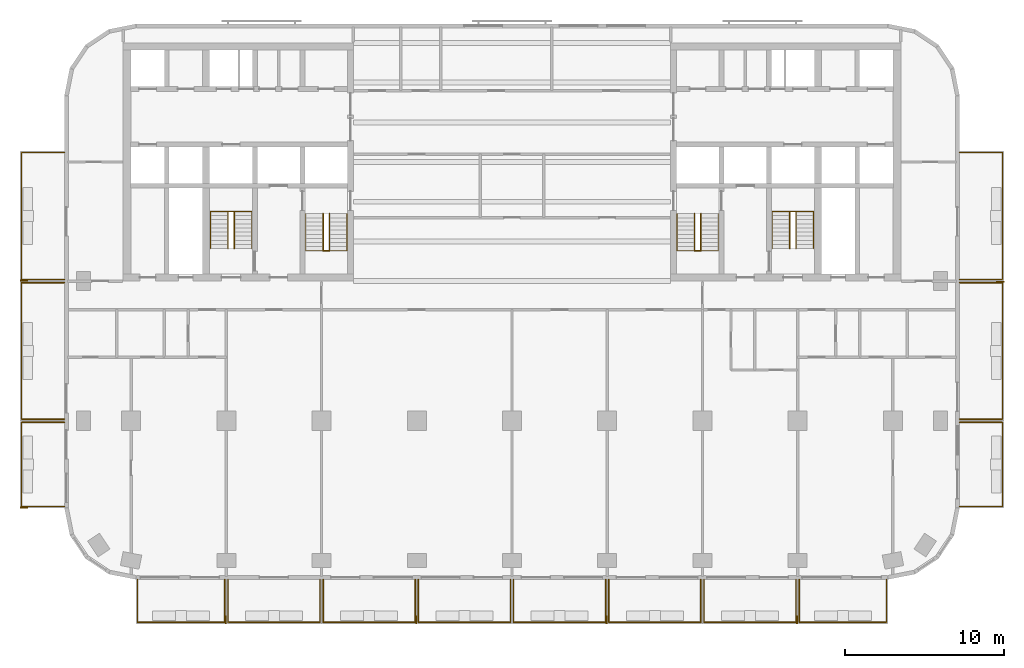
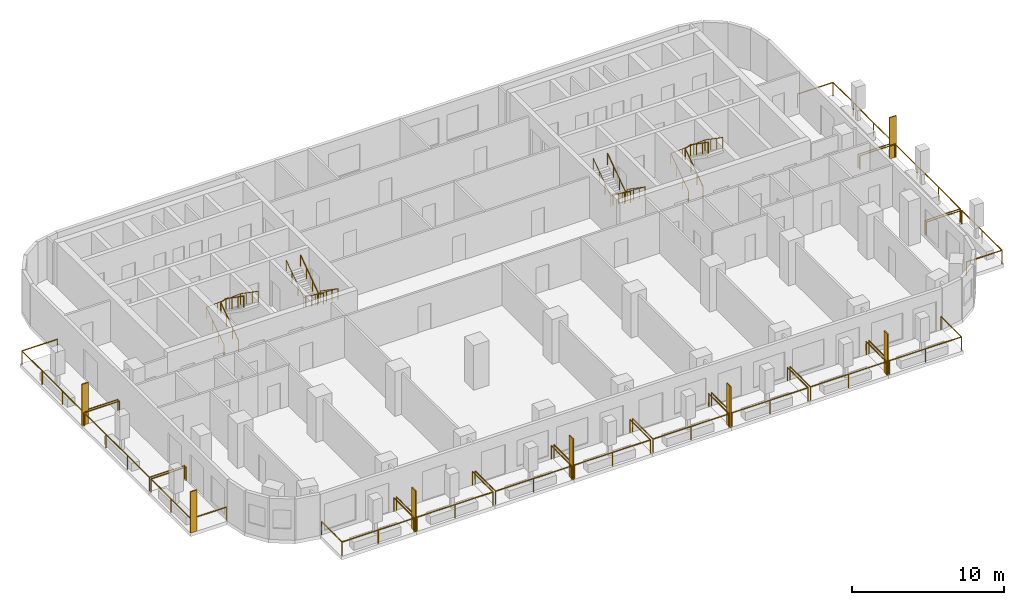
# One storey, part 9 of 11: 22 railings, 7 shading devices.
"""IFC4 building model written with IfcOpenShell, lengths in metres."""

import ifcopenshell
import ifcopenshell.guid

model = None  # the IFC model being written
_history = None  # IfcOwnerHistory: only IFC2X3 demands one
_inside = {}  # id of a spatial element -> (the spatial element, [elements in it])
_under = {}  # id of a project, library or spatial element -> (it, [spatial elements below it])
_declared = {}  # id of a project -> (the project, [libraries it declares])
_typed = {}  # id of a type object -> (the type object, [elements of that type])
_made_of = {}  # id of a material, layer set ... -> (it, [elements and type objects made of it])


def new_model(schema):
    """Start an empty IFC model of exactly this schema.

    Asked for "IFC4X3", IfcOpenShell would pick the latest addendum, in which some entities
    have other attributes; the version numbers below select the first issue.
    IFC2X3 requires an IfcOwnerHistory on every rooted entity: one is made here for all.
    """
    global model, _history
    if schema == "IFC4X3":
        model = ifcopenshell.file(schema_version=(4, 3, 0, 0))
    else:
        model = ifcopenshell.file(schema=schema)
    _inside.clear()
    _under.clear()
    _declared.clear()
    _typed.clear()
    _made_of.clear()
    _history = None
    if model.schema == "IFC2X3":
        org = make("IfcOrganization", Name="unknown")
        user = make(
            "IfcPersonAndOrganization",
            ThePerson=make("IfcPerson", FamilyName="unknown"),
            TheOrganization=org,
        )
        app = make(
            "IfcApplication",
            ApplicationDeveloper=org,
            Version="unknown",
            ApplicationFullName="unknown",
            ApplicationIdentifier="unknown",
        )
        _history = make(
            "IfcOwnerHistory",
            OwningUser=user,
            OwningApplication=app,
            ChangeAction="ADDED",
            CreationDate=0,
        )
    return model


def make(cls, **values):
    """One entity of the class cls with the attributes given. An attribute that is None is left unset."""
    return model.create_entity(
        cls, **{name: value for name, value in values.items() if value is not None}
    )


def rooted(cls, **values):
    """An entity with a GlobalId (a new one), such as an element, a storey or a relation."""
    return make(cls, GlobalId=ifcopenshell.guid.new(), OwnerHistory=_history, **values)


def si_unit(unit_type, name, prefix=None):
    """IfcSIUnit, for example si_unit("LENGTHUNIT", "METRE", prefix="MILLI")."""
    return make("IfcSIUnit", UnitType=unit_type, Prefix=prefix, Name=name)


def assignment(units):
    """IfcUnitAssignment: the units of a project."""
    return None if units is None else make("IfcUnitAssignment", Units=units)


def point(xyz):
    """IfcCartesianPoint."""
    return None if xyz is None else make("IfcCartesianPoint", Coordinates=xyz)


def direction(xyz):
    """IfcDirection."""
    return None if xyz is None else make("IfcDirection", DirectionRatios=xyz)


def frame(location, z_axis=None, x_axis=None):
    """IfcAxis2Placement3D, a coordinate frame: its origin and axes. An axis left out is left unset."""
    return make(
        "IfcAxis2Placement3D",
        Location=point(location),
        Axis=direction(z_axis),
        RefDirection=direction(x_axis),
    )


def frame_2d(location, x_axis=None):
    """IfcAxis2Placement2D, a coordinate frame in the plane: its origin and x axis."""
    return make(
        "IfcAxis2Placement2D", Location=point(location), RefDirection=direction(x_axis)
    )


def origin():
    """The frame at (0, 0, 0) with its axes left unset."""
    return frame((0.0, 0.0, 0.0))


def origin_2d():
    """The frame at (0, 0) in the plane with its x axis left unset."""
    return frame_2d((0.0, 0.0))


def place(relative_to, where):
    """IfcLocalPlacement: puts the frame where relative to a parent placement (None: the world)."""
    return make(
        "IfcLocalPlacement", PlacementRelTo=relative_to, RelativePlacement=where
    )


def context(
    kind, dimensions, precision=None, world=None, true_north=None, identifier=None
):
    """IfcGeometricRepresentationContext, for example the 3D "Model" context."""
    return make(
        "IfcGeometricRepresentationContext",
        ContextIdentifier=identifier,
        ContextType=kind,
        CoordinateSpaceDimension=dimensions,
        Precision=precision,
        WorldCoordinateSystem=world,
        TrueNorth=true_north,
    )


def subcontext(parent, identifier, kind, view, scale=None):
    """IfcGeometricRepresentationSubContext, for example "Body" below "Model"."""
    return make(
        "IfcGeometricRepresentationSubContext",
        ContextIdentifier=identifier,
        ContextType=kind,
        ParentContext=parent,
        TargetScale=scale,
        TargetView=view,
    )


def project(units=None, contexts=None):
    """IfcProject with its units and contexts."""
    return rooted(
        "IfcProject",
        Name="project",
        RepresentationContexts=contexts,
        UnitsInContext=assignment(units),
    )


def spatial(cls, under=None, at=None, **own):
    """A site, building, storey or space (cls), placed at a placement, below another one or the project."""
    s = rooted(cls, ObjectPlacement=at, **own)
    if under is not None:
        _under.setdefault(under.id(), (under, []))[1].append(s)
    return s


def profile(cls, at=None, kind="AREA", **sizes):
    """A parametric profile (cls). Its sizes go by their IFC names, for example OverallWidth=200.0."""
    return make(cls, ProfileType=kind, Position=at, **sizes)


def rectangle(**sizes):
    """IfcRectangleProfileDef."""
    return profile("IfcRectangleProfileDef", **sizes)


def circle(**sizes):
    """IfcCircleProfileDef."""
    return profile("IfcCircleProfileDef", **sizes)


def extrude(swept, where, along, depth):
    """IfcExtrudedAreaSolid: the profile swept, set in the frame where, extruded along a direction by depth."""
    return make(
        "IfcExtrudedAreaSolid",
        SweptArea=swept,
        Position=where,
        ExtrudedDirection=direction(along),
        Depth=depth,
    )


def shape(context_of_items, identifier, shape_type, items):
    """IfcShapeRepresentation: the items that make up one representation, for example the "Body"."""
    return make(
        "IfcShapeRepresentation",
        ContextOfItems=context_of_items,
        RepresentationIdentifier=identifier,
        RepresentationType=shape_type,
        Items=items,
    )


def material(Name=None, Category=None):
    """IfcMaterial."""
    return make("IfcMaterial", Name=Name, Category=Category)


def layer(
    of_material, thickness, ventilated=None, Name=None, Category=None, Priority=None
):
    """IfcMaterialLayer: one layer of a wall or slab, of a material (None: an air gap)."""
    return make(
        "IfcMaterialLayer",
        Material=of_material,
        LayerThickness=thickness,
        IsVentilated=ventilated,
        Name=Name,
        Category=Category,
        Priority=Priority,
    )


def layer_set(layers, Name=None):
    """IfcMaterialLayerSet."""
    return make("IfcMaterialLayerSet", MaterialLayers=layers, LayerSetName=Name)


def made_of(thing, what):
    """Note that an element or type object is made of a material, layer set ...; save() writes the relation."""
    if what is not None:
        _made_of.setdefault(what.id(), (what, []))[1].append(thing)
    return thing


def type_object(cls, material=None, **own):
    """A type object (cls), such as IfcWallType, which elements share."""
    return made_of(rooted(cls, **own), material)


def element(
    cls,
    number,
    at=None,
    inside=None,
    cuts=None,
    type_object=None,
    material=None,
    context=None,
    identifier="Body",
    shape_type=None,
    held_by="IfcProductDefinitionShape",
    body=None,
    shapes=None,
    **own,
):
    """One element of the class cls, such as IfcWall. Its Tag is "e" and its number.

    at: its placement. inside: the storey or other place that contains it. cuts: it is an
    opening in that element (IfcRelVoidsElement). A single representation is given by context,
    identifier, shape_type and body (its items); several are given by shapes. held_by: the class
    of the entity that holds the representations. save() writes the other relations.
    """
    e = rooted(cls, Tag="e%d" % number, ObjectPlacement=at, **own)
    if body is not None:
        shapes = [shape(context, identifier, shape_type, body)]
    if shapes is not None:
        e.Representation = make(held_by, Representations=shapes)
    if inside is not None:
        _inside.setdefault(inside.id(), (inside, []))[1].append(e)
    if cuts is not None:
        rooted(
            "IfcRelVoidsElement", RelatingBuildingElement=cuts, RelatedOpeningElement=e
        )
    if type_object is not None:
        _typed.setdefault(type_object.id(), (type_object, []))[1].append(e)
    return made_of(e, material)


def aggregate(whole, parts):
    """IfcRelAggregates: a whole, such as a stair, and the parts it consists of."""
    return rooted("IfcRelAggregates", RelatingObject=whole, RelatedObjects=parts)


def save(model, path):
    """Write the relations noted so far, then the file.

    IfcRelAggregates (storeys below a building ...), IfcRelContainedInSpatialStructure (elements
    in a storey), IfcRelDefinesByType, IfcRelAssociatesMaterial and IfcRelDeclares: one each for
    every whole, place, type object, material and project.
    """
    for whole, parts in _under.values():
        aggregate(whole, parts)
    for where, things in _inside.values():
        rooted(
            "IfcRelContainedInSpatialStructure",
            RelatedElements=things,
            RelatingStructure=where,
        )
    for kind, things in _typed.values():
        rooted("IfcRelDefinesByType", RelatedObjects=things, RelatingType=kind)
    for what, things in _made_of.values():
        rooted("IfcRelAssociatesMaterial", RelatedObjects=things, RelatingMaterial=what)
    for by, libraries in _declared.values():
        rooted("IfcRelDeclares", RelatingContext=by, RelatedDefinitions=libraries)
    model.write(path)


model = new_model("IFC4")

# Units and contexts
model_context = context("Model", 3, precision=1e-05, world=origin(), true_north=direction((0.0, 1.0)))
body_context = subcontext(model_context, "Body", "Model", "MODEL_VIEW")
ifc_project = project(units=[si_unit("LENGTHUNIT", "METRE"), si_unit("AREAUNIT", "SQUARE_METRE"), si_unit("VOLUMEUNIT", "CUBIC_METRE"), si_unit("PLANEANGLEUNIT", "RADIAN"), si_unit("MASSUNIT", "GRAM", prefix="KILO")], contexts=[model_context])

# Site, building, storey
site_placement = place(None, origin())
site = spatial("IfcSite", under=ifc_project, at=site_placement, CompositionType="ELEMENT")
building_placement = place(site_placement, origin())
building = spatial("IfcBuilding", under=site, at=building_placement, Name="Torana Hotel and Residences", CompositionType="ELEMENT")
storey_placement = place(building_placement, frame((0.0, 0.0, 120.0)))
storey = spatial("IfcBuildingStorey", under=building, at=storey_placement, Name="L30", CompositionType="ELEMENT", Elevation=120.0)

# Shading devices
ifc_material_1 = material(Name="Black powder coated aluminium", Category="aluminium")
ifc_layer = layer(ifc_material_1, 0.080078125)
ifc_layer_set = layer_set([ifc_layer], Name="FN1 VERTICAL FIN 500x80")
shading_device_type = type_object("IfcShadingDeviceType", Name="FN1 VERTICAL FIN 500x80", PredefinedType="USERDEFINED", material=ifc_layer_set)
for number, where, z_axis, x_axis, name in (
    (1, (-18.0400390625, -36.35009765625, 0.0), (0.0, 0.0, 1.0), (-1.0, 0.0, 0.0), "Fin 01"),
    (2, (-6.0400390625, -36.35009765625, 0.0), (0.0, 0.0, 1.0), (-1.0, 0.0, 0.0), "Fin 03"),
    (3, (5.9599609375, -36.35009765625, 0.0), (0.0, 0.0, 1.0), (-1.0, 0.0, 0.0), "Fin 05"),
    (4, (17.9599609375, -36.35009765625, 0.0), (0.0, 0.0, 1.0), (-1.0, 0.0, 0.0), "Fin 07"),
    (5, (-30.75, -29.260009765625, 0.0), (0.0, 0.0, 1.0), (0.0, 1.0, 0.0), "Fin 09"),
    (6, (-30.75, -14.9599609375, 0.0), (0.0, 0.0, 1.0), (0.0, 1.0, 0.0), "Fin 11"),
    (7, (30.75, -15.0400390625, 0.0), (0.0, 0.0, 1.0), (0.0, -1.0, 0.0), "Fin 13"),
):
    element("IfcShadingDevice", number, at=place(storey_placement, frame(where, z_axis=z_axis, x_axis=x_axis)), inside=storey, type_object=shading_device_type, Name=name, ObjectType="FIN", PredefinedType="USERDEFINED", context=body_context, shape_type="SweptSolid", body=[
        extrude(rectangle(XDim=0.080078125, YDim=0.5, at=origin_2d()), origin(), (0.0, 0.0, 1.0), 3.320068359375),
    ])

# Railings
ifc_material_2 = material(Name="Laminated glass balustrade with black handrail", Category="glass")
railing_type_1 = type_object("IfcRailingType", Name="GR1 BALCONY GUARD 1100 GLASS", PredefinedType="GUARDRAIL", material=ifc_material_2)
railing_1_placement = place(storey_placement, frame((-18.10009765625, -33.800048828125, 0.0)))
element("IfcRailing", 8, at=railing_1_placement, inside=storey, type_object=railing_type_1, Name="Balcony guard 01", PredefinedType="GUARDRAIL", context=body_context, shape_type="SweptSolid", body=[
    extrude(circle(Radius=0.02392578125, at=origin_2d()), frame((0.0, 0.0, 1.076171875), z_axis=(0.0, -1.0, 0.0), x_axis=(1.0, 0.0, 0.0)), (0.0, 0.0, 1.0), 2.699951171875),
    extrude(circle(Radius=0.02392578125, at=origin_2d()), frame((0.0, -2.699951171875, 1.076171875), z_axis=(-1.0, 0.0, 0.0), x_axis=(0.0, -1.0, 0.0)), (0.0, 0.0, 1.0), 5.5),
    extrude(circle(Radius=0.02392578125, at=origin_2d()), frame((-5.5, -2.699951171875, 1.076171875), z_axis=(0.0, 1.0, 0.0), x_axis=(-1.0, 0.0, 0.0)), (0.0, 0.0, 1.0), 2.699951171875),
    extrude(circle(Radius=0.02099609375, at=origin_2d()), origin(), (0.0, 0.0, 1.0), 1.052001953125),
    extrude(circle(Radius=0.02099609375, at=origin_2d()), frame((0.0, -2.699951171875, 0.0)), (0.0, 0.0, 1.0), 1.052001953125),
    extrude(circle(Radius=0.02099609375, at=origin_2d()), frame((-2.75, -2.699951171875, 0.0)), (0.0, 0.0, 1.0), 1.052001953125),
    extrude(circle(Radius=0.02099609375, at=origin_2d()), frame((-5.5, -2.699951171875, 0.0)), (0.0, 0.0, 1.0), 1.052001953125),
    extrude(circle(Radius=0.02099609375, at=origin_2d()), frame((-5.5, 0.0, 0.0)), (0.0, 0.0, 1.0), 1.052001953125),
])
for number, where, name in (
    (9, (-12.10009765625, -33.800048828125, 0.0), "Balcony guard 02"),
    (10, (-6.10009765625, -33.800048828125, 0.0), "Balcony guard 03"),
    (11, (-0.10009765625, -33.800048828125, 0.0), "Balcony guard 04"),
    (12, (5.89990234375, -33.800048828125, 0.0), "Balcony guard 05"),
    (13, (11.89990234375, -33.800048828125, 0.0), "Balcony guard 06"),
    (14, (17.89990234375, -33.800048828125, 0.0), "Balcony guard 07"),
):
    element("IfcRailing", number, at=place(storey_placement, frame(where)), inside=storey, type_object=railing_type_1, Name=name, PredefinedType="GUARDRAIL", context=body_context, shape_type="SweptSolid", body=[
        extrude(circle(Radius=0.02392578125, at=origin_2d()), frame((0.0, 0.0, 1.076171875), z_axis=(0.0, -1.0, 0.0), x_axis=(1.0, 0.0, 0.0)), (0.0, 0.0, 1.0), 2.699951171875),
        extrude(circle(Radius=0.02392578125, at=origin_2d()), frame((0.0, -2.699951171875, 1.076171875), z_axis=(-1.0, 0.0, 0.0), x_axis=(0.0, -1.0, 0.0)), (0.0, 0.0, 1.0), 5.7998046875),
        extrude(circle(Radius=0.02392578125, at=origin_2d()), frame((-5.7998046875, -2.699951171875, 1.076171875), z_axis=(0.0, 1.0, 0.0), x_axis=(-1.0, 0.0, 0.0)), (0.0, 0.0, 1.0), 2.699951171875),
        extrude(circle(Radius=0.02099609375, at=origin_2d()), origin(), (0.0, 0.0, 1.0), 1.052001953125),
        extrude(circle(Radius=0.02099609375, at=origin_2d()), frame((0.0, -2.699951171875, 0.0)), (0.0, 0.0, 1.0), 1.052001953125),
        extrude(circle(Radius=0.02099609375, at=origin_2d()), frame((-2.89990234375, -2.699951171875, 0.0)), (0.0, 0.0, 1.0), 1.052001953125),
        extrude(circle(Radius=0.02099609375, at=origin_2d()), frame((-5.7998046875, -2.699951171875, 0.0)), (0.0, 0.0, 1.0), 1.052001953125),
        extrude(circle(Radius=0.02099609375, at=origin_2d()), frame((-5.7998046875, 0.0, 0.0)), (0.0, 0.0, 1.0), 1.052001953125),
    ])
railing_2_placement = place(storey_placement, frame((23.60009765625, -33.800048828125, 0.0)))
element("IfcRailing", 15, at=railing_2_placement, inside=storey, type_object=railing_type_1, Name="Balcony guard 08", PredefinedType="GUARDRAIL", context=body_context, shape_type="SweptSolid", body=[
    extrude(circle(Radius=0.02392578125, at=origin_2d()), frame((0.0, 0.0, 1.076171875), z_axis=(0.0, -1.0, 0.0), x_axis=(1.0, 0.0, 0.0)), (0.0, 0.0, 1.0), 2.699951171875),
    extrude(circle(Radius=0.02392578125, at=origin_2d()), frame((0.0, -2.699951171875, 1.076171875), z_axis=(-1.0, 0.0, 0.0), x_axis=(0.0, -1.0, 0.0)), (0.0, 0.0, 1.0), 5.5),
    extrude(circle(Radius=0.02392578125, at=origin_2d()), frame((-5.5, -2.699951171875, 1.076171875), z_axis=(0.0, 1.0, 0.0), x_axis=(-1.0, 0.0, 0.0)), (0.0, 0.0, 1.0), 2.699951171875),
    extrude(circle(Radius=0.02099609375, at=origin_2d()), origin(), (0.0, 0.0, 1.0), 1.052001953125),
    extrude(circle(Radius=0.02099609375, at=origin_2d()), frame((0.0, -2.699951171875, 0.0)), (0.0, 0.0, 1.0), 1.052001953125),
    extrude(circle(Radius=0.02099609375, at=origin_2d()), frame((-2.75, -2.699951171875, 0.0)), (0.0, 0.0, 1.0), 1.052001953125),
    extrude(circle(Radius=0.02099609375, at=origin_2d()), frame((-5.5, -2.699951171875, 0.0)), (0.0, 0.0, 1.0), 1.052001953125),
    extrude(circle(Radius=0.02099609375, at=origin_2d()), frame((-5.5, 0.0, 0.0)), (0.0, 0.0, 1.0), 1.052001953125),
])
railing_3_placement = place(storey_placement, frame((-28.199951171875, -29.199951171875, 0.0)))
element("IfcRailing", 16, at=railing_3_placement, inside=storey, type_object=railing_type_1, Name="Balcony guard 09", PredefinedType="GUARDRAIL", context=body_context, shape_type="SweptSolid", body=[
    extrude(circle(Radius=0.02392578125, at=origin_2d()), frame((0.0, 0.0, 1.076171875), z_axis=(-1.0, 0.0, 0.0), x_axis=(0.0, -1.0, 0.0)), (0.0, 0.0, 1.0), 2.699951171875),
    extrude(circle(Radius=0.02392578125, at=origin_2d()), frame((-2.699951171875, 0.0, 1.076171875), z_axis=(0.0, 1.0, 0.0), x_axis=(-1.0, 0.0, 0.0)), (0.0, 0.0, 1.0), 5.300048828125),
    extrude(circle(Radius=0.02392578125, at=origin_2d()), frame((-2.699951171875, 5.300048828125, 1.076171875), z_axis=(1.0, 0.0, 0.0), x_axis=(0.0, 1.0, 0.0)), (0.0, 0.0, 1.0), 2.699951171875),
    extrude(circle(Radius=0.02099609375, at=origin_2d()), origin(), (0.0, 0.0, 1.0), 1.052001953125),
    extrude(circle(Radius=0.02099609375, at=origin_2d()), frame((-2.699951171875, 0.0, 0.0)), (0.0, 0.0, 1.0), 1.052001953125),
    extrude(circle(Radius=0.02099609375, at=origin_2d()), frame((-2.699951171875, 2.64990234375, 0.0)), (0.0, 0.0, 1.0), 1.052001953125),
    extrude(circle(Radius=0.02099609375, at=origin_2d()), frame((-2.699951171875, 5.300048828125, 0.0)), (0.0, 0.0, 1.0), 1.052001953125),
    extrude(circle(Radius=0.02099609375, at=origin_2d()), frame((0.0, 5.300048828125, 0.0)), (0.0, 0.0, 1.0), 1.052001953125),
])
railing_4_placement = place(storey_placement, frame((-28.199951171875, -23.699951171875, 0.0)))
element("IfcRailing", 17, at=railing_4_placement, inside=storey, type_object=railing_type_1, Name="Balcony guard 10", PredefinedType="GUARDRAIL", context=body_context, shape_type="SweptSolid", body=[
    extrude(circle(Radius=0.02392578125, at=origin_2d()), frame((0.0, 0.0, 1.076171875), z_axis=(-1.0, 0.0, 0.0), x_axis=(0.0, -1.0, 0.0)), (0.0, 0.0, 1.0), 2.699951171875),
    extrude(circle(Radius=0.02392578125, at=origin_2d()), frame((-2.699951171875, 0.0, 1.076171875), z_axis=(0.0, 1.0, 0.0), x_axis=(-1.0, 0.0, 0.0)), (0.0, 0.0, 1.0), 8.599853515625),
    extrude(circle(Radius=0.02392578125, at=origin_2d()), frame((-2.699951171875, 8.599853515625, 1.076171875), z_axis=(1.0, 0.0, 0.0), x_axis=(0.0, 1.0, 0.0)), (0.0, 0.0, 1.0), 2.699951171875),
    extrude(circle(Radius=0.02099609375, at=origin_2d()), origin(), (0.0, 0.0, 1.0), 1.052001953125),
    extrude(circle(Radius=0.02099609375, at=origin_2d()), frame((-2.699951171875, 0.0, 0.0)), (0.0, 0.0, 1.0), 1.052001953125),
    extrude(circle(Radius=0.02099609375, at=origin_2d()), frame((-2.699951171875, 2.86669921875, 0.0)), (0.0, 0.0, 1.0), 1.052001953125),
    extrude(circle(Radius=0.02099609375, at=origin_2d()), frame((-2.699951171875, 5.733154296875, 0.0)), (0.0, 0.0, 1.0), 1.052001953125),
    extrude(circle(Radius=0.02099609375, at=origin_2d()), frame((-2.699951171875, 8.599853515625, 0.0)), (0.0, 0.0, 1.0), 1.052001953125),
    extrude(circle(Radius=0.02099609375, at=origin_2d()), frame((0.0, 8.599853515625, 0.0)), (0.0, 0.0, 1.0), 1.052001953125),
])
railing_5_placement = place(storey_placement, frame((-28.199951171875, -14.89990234375, 0.0)))
element("IfcRailing", 18, at=railing_5_placement, inside=storey, type_object=railing_type_1, Name="Balcony guard 11", PredefinedType="GUARDRAIL", context=body_context, shape_type="SweptSolid", body=[
    extrude(circle(Radius=0.02392578125, at=origin_2d()), frame((0.0, 0.0, 1.076171875), z_axis=(-1.0, 0.0, 0.0), x_axis=(0.0, -1.0, 0.0)), (0.0, 0.0, 1.0), 2.699951171875),
    extrude(circle(Radius=0.02392578125, at=origin_2d()), frame((-2.699951171875, 0.0, 1.076171875), z_axis=(0.0, 1.0, 0.0), x_axis=(-1.0, 0.0, 0.0)), (0.0, 0.0, 1.0), 8.0),
    extrude(circle(Radius=0.02392578125, at=origin_2d()), frame((-2.699951171875, 8.0, 1.076171875), z_axis=(1.0, 0.0, 0.0), x_axis=(0.0, 1.0, 0.0)), (0.0, 0.0, 1.0), 2.699951171875),
    extrude(circle(Radius=0.02099609375, at=origin_2d()), origin(), (0.0, 0.0, 1.0), 1.052001953125),
    extrude(circle(Radius=0.02099609375, at=origin_2d()), frame((-2.699951171875, 0.0, 0.0)), (0.0, 0.0, 1.0), 1.052001953125),
    extrude(circle(Radius=0.02099609375, at=origin_2d()), frame((-2.699951171875, 2.666748046875, 0.0)), (0.0, 0.0, 1.0), 1.052001953125),
    extrude(circle(Radius=0.02099609375, at=origin_2d()), frame((-2.699951171875, 5.333251953125, 0.0)), (0.0, 0.0, 1.0), 1.052001953125),
    extrude(circle(Radius=0.02099609375, at=origin_2d()), frame((-2.699951171875, 8.0, 0.0)), (0.0, 0.0, 1.0), 1.052001953125),
    extrude(circle(Radius=0.02099609375, at=origin_2d()), frame((0.0, 8.0, 0.0)), (0.0, 0.0, 1.0), 1.052001953125),
])
railing_6_placement = place(storey_placement, frame((28.199951171875, -23.89990234375, 0.0)))
element("IfcRailing", 19, at=railing_6_placement, inside=storey, type_object=railing_type_1, Name="Balcony guard 12", PredefinedType="GUARDRAIL", context=body_context, shape_type="SweptSolid", body=[
    extrude(circle(Radius=0.02392578125, at=origin_2d()), frame((0.0, 0.0, 1.076171875), z_axis=(1.0, 0.0, 0.0), x_axis=(0.0, 1.0, 0.0)), (0.0, 0.0, 1.0), 2.699951171875),
    extrude(circle(Radius=0.02392578125, at=origin_2d()), frame((2.699951171875, 0.0, 1.076171875), z_axis=(0.0, -1.0, 0.0), x_axis=(1.0, 0.0, 0.0)), (0.0, 0.0, 1.0), 5.300048828125),
    extrude(circle(Radius=0.02392578125, at=origin_2d()), frame((2.699951171875, -5.300048828125, 1.076171875), z_axis=(-1.0, 0.0, 0.0), x_axis=(0.0, -1.0, 0.0)), (0.0, 0.0, 1.0), 2.699951171875),
    extrude(circle(Radius=0.02099609375, at=origin_2d()), origin(), (0.0, 0.0, 1.0), 1.052001953125),
    extrude(circle(Radius=0.02099609375, at=origin_2d()), frame((2.699951171875, 0.0, 0.0)), (0.0, 0.0, 1.0), 1.052001953125),
    extrude(circle(Radius=0.02099609375, at=origin_2d()), frame((2.699951171875, -2.64990234375, 0.0)), (0.0, 0.0, 1.0), 1.052001953125),
    extrude(circle(Radius=0.02099609375, at=origin_2d()), frame((2.699951171875, -5.300048828125, 0.0)), (0.0, 0.0, 1.0), 1.052001953125),
    extrude(circle(Radius=0.02099609375, at=origin_2d()), frame((0.0, -5.300048828125, 0.0)), (0.0, 0.0, 1.0), 1.052001953125),
])
railing_7_placement = place(storey_placement, frame((28.199951171875, -15.10009765625, 0.0)))
element("IfcRailing", 20, at=railing_7_placement, inside=storey, type_object=railing_type_1, Name="Balcony guard 13", PredefinedType="GUARDRAIL", context=body_context, shape_type="SweptSolid", body=[
    extrude(circle(Radius=0.02392578125, at=origin_2d()), frame((0.0, 0.0, 1.076171875), z_axis=(1.0, 0.0, 0.0), x_axis=(0.0, 1.0, 0.0)), (0.0, 0.0, 1.0), 2.699951171875),
    extrude(circle(Radius=0.02392578125, at=origin_2d()), frame((2.699951171875, 0.0, 1.076171875), z_axis=(0.0, -1.0, 0.0), x_axis=(1.0, 0.0, 0.0)), (0.0, 0.0, 1.0), 8.599853515625),
    extrude(circle(Radius=0.02392578125, at=origin_2d()), frame((2.699951171875, -8.599853515625, 1.076171875), z_axis=(-1.0, 0.0, 0.0), x_axis=(0.0, -1.0, 0.0)), (0.0, 0.0, 1.0), 2.699951171875),
    extrude(circle(Radius=0.02099609375, at=origin_2d()), origin(), (0.0, 0.0, 1.0), 1.052001953125),
    extrude(circle(Radius=0.02099609375, at=origin_2d()), frame((2.699951171875, 0.0, 0.0)), (0.0, 0.0, 1.0), 1.052001953125),
    extrude(circle(Radius=0.02099609375, at=origin_2d()), frame((2.699951171875, -2.86669921875, 0.0)), (0.0, 0.0, 1.0), 1.052001953125),
    extrude(circle(Radius=0.02099609375, at=origin_2d()), frame((2.699951171875, -5.733154296875, 0.0)), (0.0, 0.0, 1.0), 1.052001953125),
    extrude(circle(Radius=0.02099609375, at=origin_2d()), frame((2.699951171875, -8.599853515625, 0.0)), (0.0, 0.0, 1.0), 1.052001953125),
    extrude(circle(Radius=0.02099609375, at=origin_2d()), frame((0.0, -8.599853515625, 0.0)), (0.0, 0.0, 1.0), 1.052001953125),
])
railing_8_placement = place(storey_placement, frame((28.199951171875, -6.89990234375, 0.0)))
element("IfcRailing", 21, at=railing_8_placement, inside=storey, type_object=railing_type_1, Name="Balcony guard 14", PredefinedType="GUARDRAIL", context=body_context, shape_type="SweptSolid", body=[
    extrude(circle(Radius=0.02392578125, at=origin_2d()), frame((0.0, 0.0, 1.076171875), z_axis=(1.0, 0.0, 0.0), x_axis=(0.0, 1.0, 0.0)), (0.0, 0.0, 1.0), 2.699951171875),
    extrude(circle(Radius=0.02392578125, at=origin_2d()), frame((2.699951171875, 0.0, 1.076171875), z_axis=(0.0, -1.0, 0.0), x_axis=(1.0, 0.0, 0.0)), (0.0, 0.0, 1.0), 8.0),
    extrude(circle(Radius=0.02392578125, at=origin_2d()), frame((2.699951171875, -8.0, 1.076171875), z_axis=(-1.0, 0.0, 0.0), x_axis=(0.0, -1.0, 0.0)), (0.0, 0.0, 1.0), 2.699951171875),
    extrude(circle(Radius=0.02099609375, at=origin_2d()), origin(), (0.0, 0.0, 1.0), 1.052001953125),
    extrude(circle(Radius=0.02099609375, at=origin_2d()), frame((2.699951171875, 0.0, 0.0)), (0.0, 0.0, 1.0), 1.052001953125),
    extrude(circle(Radius=0.02099609375, at=origin_2d()), frame((2.699951171875, -2.666748046875, 0.0)), (0.0, 0.0, 1.0), 1.052001953125),
    extrude(circle(Radius=0.02099609375, at=origin_2d()), frame((2.699951171875, -5.333251953125, 0.0)), (0.0, 0.0, 1.0), 1.052001953125),
    extrude(circle(Radius=0.02099609375, at=origin_2d()), frame((2.699951171875, -8.0, 0.0)), (0.0, 0.0, 1.0), 1.052001953125),
    extrude(circle(Radius=0.02099609375, at=origin_2d()), frame((0.0, -8.0, 0.0)), (0.0, 0.0, 1.0), 1.052001953125),
])
ifc_material_3 = material(Name="Stainless steel 316", Category="steel")
railing_type_2 = type_object("IfcRailingType", Name="STAIR HANDRAIL HR1 900", PredefinedType="HANDRAIL", material=ifc_material_3)
railing_9_placement = place(storey_placement, frame((-10.39990234375, -10.75, 0.179931640625)))
element("IfcRailing", 22, at=railing_9_placement, inside=storey, type_object=railing_type_2, Name="Handrail ST1 L30 O1", PredefinedType="HANDRAIL", context=body_context, shape_type="SweptSolid", body=[
    extrude(circle(Radius=0.02392578125, at=origin_2d()), frame((0.0, 0.0, 0.8759765625), z_axis=(0.0, -0.822182927502, 0.569223360136), x_axis=(1.0, 0.0, 0.0)), (0.0, 0.0, 1.0), 2.84619140625),
    extrude(circle(Radius=0.02392578125, at=origin_2d()), frame((0.0, -2.340087890625, 2.49609375), z_axis=(-0.997614115953, 0.0, 0.069036770278), x_axis=(0.0, -1.0, 0.0)), (0.0, 0.0, 1.0), 2.606201171875),
    extrude(circle(Radius=0.02392578125, at=origin_2d()), frame((-2.60009765625, -2.340087890625, 2.67578125), z_axis=(0.0, 0.822182927502, 0.569223360136), x_axis=(-1.0, 0.0, 0.0)), (0.0, 0.0, 1.0), 2.84619140625),
    extrude(circle(Radius=0.02099609375, at=origin_2d()), origin(), (0.0, 0.0, 1.0), 0.851806640625),
    extrude(circle(Radius=0.02099609375, at=origin_2d()), frame((0.0, -0.780029296875, 0.5400390625)), (0.0, 0.0, 1.0), 0.851806640625),
    extrude(circle(Radius=0.02099609375, at=origin_2d()), frame((0.0, -1.56005859375, 1.080078125)), (0.0, 0.0, 1.0), 0.851806640625),
    extrude(circle(Radius=0.02099609375, at=origin_2d()), frame((0.0, -2.340087890625, 1.6201171875)), (0.0, 0.0, 1.0), 0.851806640625),
    extrude(circle(Radius=0.02099609375, at=origin_2d()), frame((-0.86669921875, -2.340087890625, 1.68017578125)), (0.0, 0.0, 1.0), 0.851806640625),
    extrude(circle(Radius=0.02099609375, at=origin_2d()), frame((-1.7333984375, -2.340087890625, 1.739990234375)), (0.0, 0.0, 1.0), 0.851806640625),
    extrude(circle(Radius=0.02099609375, at=origin_2d()), frame((-2.60009765625, -2.340087890625, 1.800048828125)), (0.0, 0.0, 1.0), 0.851806640625),
    extrude(circle(Radius=0.02099609375, at=origin_2d()), frame((-2.60009765625, -1.56005859375, 2.340087890625)), (0.0, 0.0, 1.0), 0.851806640625),
    extrude(circle(Radius=0.02099609375, at=origin_2d()), frame((-2.60009765625, -0.780029296875, 2.880126953125)), (0.0, 0.0, 1.0), 0.851806640625),
    extrude(circle(Radius=0.02099609375, at=origin_2d()), frame((-2.60009765625, 0.0, 3.420166015625)), (0.0, 0.0, 1.0), 0.851806640625),
])
railing_10_placement = place(storey_placement, frame((-11.5, -10.75, 0.179931640625)))
element("IfcRailing", 23, at=railing_10_placement, inside=storey, type_object=railing_type_2, Name="Handrail ST1 L30 I1", PredefinedType="HANDRAIL", context=body_context, shape_type="SweptSolid", body=[
    extrude(circle(Radius=0.02392578125, at=origin_2d()), frame((0.0, 0.0, 0.8759765625), z_axis=(0.0, -0.822182927502, 0.569223360136), x_axis=(1.0, 0.0, 0.0)), (0.0, 0.0, 1.0), 2.84619140625),
    extrude(circle(Radius=0.02392578125, at=origin_2d()), frame((0.0, -2.340087890625, 2.49609375), z_axis=(-0.911942338396, 0.0, 0.410318378143), x_axis=(0.0, -1.0, 0.0)), (0.0, 0.0, 1.0), 0.4384765625),
    extrude(circle(Radius=0.02392578125, at=origin_2d()), frame((-0.39990234375, -2.340087890625, 2.67578125), z_axis=(0.0, 0.822182927502, 0.569223360136), x_axis=(-1.0, 0.0, 0.0)), (0.0, 0.0, 1.0), 2.84619140625),
    extrude(circle(Radius=0.02099609375, at=origin_2d()), origin(), (0.0, 0.0, 1.0), 0.851806640625),
    extrude(circle(Radius=0.02099609375, at=origin_2d()), frame((0.0, -0.780029296875, 0.5400390625)), (0.0, 0.0, 1.0), 0.851806640625),
    extrude(circle(Radius=0.02099609375, at=origin_2d()), frame((0.0, -1.56005859375, 1.080078125)), (0.0, 0.0, 1.0), 0.851806640625),
    extrude(circle(Radius=0.02099609375, at=origin_2d()), frame((0.0, -2.340087890625, 1.6201171875)), (0.0, 0.0, 1.0), 0.851806640625),
    extrude(circle(Radius=0.02099609375, at=origin_2d()), frame((-0.39990234375, -2.340087890625, 1.800048828125)), (0.0, 0.0, 1.0), 0.851806640625),
    extrude(circle(Radius=0.02099609375, at=origin_2d()), frame((-0.39990234375, -1.56005859375, 2.340087890625)), (0.0, 0.0, 1.0), 0.851806640625),
    extrude(circle(Radius=0.02099609375, at=origin_2d()), frame((-0.39990234375, -0.780029296875, 2.880126953125)), (0.0, 0.0, 1.0), 0.851806640625),
    extrude(circle(Radius=0.02099609375, at=origin_2d()), frame((-0.39990234375, 0.0, 3.420166015625)), (0.0, 0.0, 1.0), 0.851806640625),
])
railing_11_placement = place(storey_placement, frame((-19.0, -12.949951171875, 0.179931640625)))
element("IfcRailing", 24, at=railing_11_placement, inside=storey, type_object=railing_type_2, Name="Handrail ST2 L30 O1", PredefinedType="HANDRAIL", context=body_context, shape_type="SweptSolid", body=[
    extrude(circle(Radius=0.02392578125, at=origin_2d()), frame((0.0, 0.0, 0.8759765625), z_axis=(0.0, 0.822155131156, 0.569263506923), x_axis=(-1.0, 0.0, 0.0)), (0.0, 0.0, 1.0), 2.845947265625),
    extrude(circle(Radius=0.02392578125, at=origin_2d()), frame((0.0, 2.33984375, 2.49609375), z_axis=(0.997614115953, 0.0, 0.069036770278), x_axis=(0.0, 1.0, 0.0)), (0.0, 0.0, 1.0), 2.606201171875),
    extrude(circle(Radius=0.02392578125, at=origin_2d()), frame((2.60009765625, 2.33984375, 2.67578125), z_axis=(0.0, -0.822155131156, 0.569263506923), x_axis=(1.0, 0.0, 0.0)), (0.0, 0.0, 1.0), 2.845947265625),
    extrude(circle(Radius=0.02099609375, at=origin_2d()), origin(), (0.0, 0.0, 1.0), 0.851806640625),
    extrude(circle(Radius=0.02099609375, at=origin_2d()), frame((0.0, 0.780029296875, 0.5400390625)), (0.0, 0.0, 1.0), 0.851806640625),
    extrude(circle(Radius=0.02099609375, at=origin_2d()), frame((0.0, 1.559814453125, 1.080078125)), (0.0, 0.0, 1.0), 0.851806640625),
    extrude(circle(Radius=0.02099609375, at=origin_2d()), frame((0.0, 2.33984375, 1.6201171875)), (0.0, 0.0, 1.0), 0.851806640625),
    extrude(circle(Radius=0.02099609375, at=origin_2d()), frame((0.86669921875, 2.33984375, 1.68017578125)), (0.0, 0.0, 1.0), 0.851806640625),
    extrude(circle(Radius=0.02099609375, at=origin_2d()), frame((1.7333984375, 2.33984375, 1.739990234375)), (0.0, 0.0, 1.0), 0.851806640625),
    extrude(circle(Radius=0.02099609375, at=origin_2d()), frame((2.60009765625, 2.33984375, 1.800048828125)), (0.0, 0.0, 1.0), 0.851806640625),
    extrude(circle(Radius=0.02099609375, at=origin_2d()), frame((2.60009765625, 1.559814453125, 2.340087890625)), (0.0, 0.0, 1.0), 0.851806640625),
    extrude(circle(Radius=0.02099609375, at=origin_2d()), frame((2.60009765625, 0.780029296875, 2.880126953125)), (0.0, 0.0, 1.0), 0.851806640625),
    extrude(circle(Radius=0.02099609375, at=origin_2d()), frame((2.60009765625, 0.0, 3.420166015625)), (0.0, 0.0, 1.0), 0.851806640625),
])
railing_12_placement = place(storey_placement, frame((-17.89990234375, -12.949951171875, 0.179931640625)))
element("IfcRailing", 25, at=railing_12_placement, inside=storey, type_object=railing_type_2, Name="Handrail ST2 L30 I1", PredefinedType="HANDRAIL", context=body_context, shape_type="SweptSolid", body=[
    extrude(circle(Radius=0.02392578125, at=origin_2d()), frame((0.0, 0.0, 0.8759765625), z_axis=(0.0, 0.822155131156, 0.569263506923), x_axis=(-1.0, 0.0, 0.0)), (0.0, 0.0, 1.0), 2.845947265625),
    extrude(circle(Radius=0.02392578125, at=origin_2d()), frame((0.0, 2.33984375, 2.49609375), z_axis=(0.911942338396, 0.0, 0.410318378143), x_axis=(0.0, 1.0, 0.0)), (0.0, 0.0, 1.0), 0.4384765625),
    extrude(circle(Radius=0.02392578125, at=origin_2d()), frame((0.39990234375, 2.33984375, 2.67578125), z_axis=(0.0, -0.822155131156, 0.569263506923), x_axis=(1.0, 0.0, 0.0)), (0.0, 0.0, 1.0), 2.845947265625),
    extrude(circle(Radius=0.02099609375, at=origin_2d()), origin(), (0.0, 0.0, 1.0), 0.851806640625),
    extrude(circle(Radius=0.02099609375, at=origin_2d()), frame((0.0, 0.780029296875, 0.5400390625)), (0.0, 0.0, 1.0), 0.851806640625),
    extrude(circle(Radius=0.02099609375, at=origin_2d()), frame((0.0, 1.559814453125, 1.080078125)), (0.0, 0.0, 1.0), 0.851806640625),
    extrude(circle(Radius=0.02099609375, at=origin_2d()), frame((0.0, 2.33984375, 1.6201171875)), (0.0, 0.0, 1.0), 0.851806640625),
    extrude(circle(Radius=0.02099609375, at=origin_2d()), frame((0.39990234375, 2.33984375, 1.800048828125)), (0.0, 0.0, 1.0), 0.851806640625),
    extrude(circle(Radius=0.02099609375, at=origin_2d()), frame((0.39990234375, 1.559814453125, 2.340087890625)), (0.0, 0.0, 1.0), 0.851806640625),
    extrude(circle(Radius=0.02099609375, at=origin_2d()), frame((0.39990234375, 0.780029296875, 2.880126953125)), (0.0, 0.0, 1.0), 0.851806640625),
    extrude(circle(Radius=0.02099609375, at=origin_2d()), frame((0.39990234375, 0.0, 3.420166015625)), (0.0, 0.0, 1.0), 0.851806640625),
])
railing_13_placement = place(storey_placement, frame((13.0, -10.75, 0.179931640625)))
element("IfcRailing", 26, at=railing_13_placement, inside=storey, type_object=railing_type_2, Name="Handrail ST3 L30 O1", PredefinedType="HANDRAIL", context=body_context, shape_type="SweptSolid", body=[
    extrude(circle(Radius=0.02392578125, at=origin_2d()), frame((0.0, 0.0, 0.8759765625), z_axis=(0.0, -0.822182927502, 0.569223360136), x_axis=(1.0, 0.0, 0.0)), (0.0, 0.0, 1.0), 2.84619140625),
    extrude(circle(Radius=0.02392578125, at=origin_2d()), frame((0.0, -2.340087890625, 2.49609375), z_axis=(-0.997614115953, 0.0, 0.069036770278), x_axis=(0.0, -1.0, 0.0)), (0.0, 0.0, 1.0), 2.606201171875),
    extrude(circle(Radius=0.02392578125, at=origin_2d()), frame((-2.60009765625, -2.340087890625, 2.67578125), z_axis=(0.0, 0.822182927502, 0.569223360136), x_axis=(-1.0, 0.0, 0.0)), (0.0, 0.0, 1.0), 2.84619140625),
    extrude(circle(Radius=0.02099609375, at=origin_2d()), origin(), (0.0, 0.0, 1.0), 0.851806640625),
    extrude(circle(Radius=0.02099609375, at=origin_2d()), frame((0.0, -0.780029296875, 0.5400390625)), (0.0, 0.0, 1.0), 0.851806640625),
    extrude(circle(Radius=0.02099609375, at=origin_2d()), frame((0.0, -1.56005859375, 1.080078125)), (0.0, 0.0, 1.0), 0.851806640625),
    extrude(circle(Radius=0.02099609375, at=origin_2d()), frame((0.0, -2.340087890625, 1.6201171875)), (0.0, 0.0, 1.0), 0.851806640625),
    extrude(circle(Radius=0.02099609375, at=origin_2d()), frame((-0.86669921875, -2.340087890625, 1.68017578125)), (0.0, 0.0, 1.0), 0.851806640625),
    extrude(circle(Radius=0.02099609375, at=origin_2d()), frame((-1.7333984375, -2.340087890625, 1.739990234375)), (0.0, 0.0, 1.0), 0.851806640625),
    extrude(circle(Radius=0.02099609375, at=origin_2d()), frame((-2.60009765625, -2.340087890625, 1.800048828125)), (0.0, 0.0, 1.0), 0.851806640625),
    extrude(circle(Radius=0.02099609375, at=origin_2d()), frame((-2.60009765625, -1.56005859375, 2.340087890625)), (0.0, 0.0, 1.0), 0.851806640625),
    extrude(circle(Radius=0.02099609375, at=origin_2d()), frame((-2.60009765625, -0.780029296875, 2.880126953125)), (0.0, 0.0, 1.0), 0.851806640625),
    extrude(circle(Radius=0.02099609375, at=origin_2d()), frame((-2.60009765625, 0.0, 3.420166015625)), (0.0, 0.0, 1.0), 0.851806640625),
])
railing_14_placement = place(storey_placement, frame((11.89990234375, -10.75, 0.179931640625)))
element("IfcRailing", 27, at=railing_14_placement, inside=storey, type_object=railing_type_2, Name="Handrail ST3 L30 I1", PredefinedType="HANDRAIL", context=body_context, shape_type="SweptSolid", body=[
    extrude(circle(Radius=0.02392578125, at=origin_2d()), frame((0.0, 0.0, 0.8759765625), z_axis=(0.0, -0.822182927502, 0.569223360136), x_axis=(1.0, 0.0, 0.0)), (0.0, 0.0, 1.0), 2.84619140625),
    extrude(circle(Radius=0.02392578125, at=origin_2d()), frame((0.0, -2.340087890625, 2.49609375), z_axis=(-0.911942338396, 0.0, 0.410318378143), x_axis=(0.0, -1.0, 0.0)), (0.0, 0.0, 1.0), 0.4384765625),
    extrude(circle(Radius=0.02392578125, at=origin_2d()), frame((-0.39990234375, -2.340087890625, 2.67578125), z_axis=(0.0, 0.822182927502, 0.569223360136), x_axis=(-1.0, 0.0, 0.0)), (0.0, 0.0, 1.0), 2.84619140625),
    extrude(circle(Radius=0.02099609375, at=origin_2d()), origin(), (0.0, 0.0, 1.0), 0.851806640625),
    extrude(circle(Radius=0.02099609375, at=origin_2d()), frame((0.0, -0.780029296875, 0.5400390625)), (0.0, 0.0, 1.0), 0.851806640625),
    extrude(circle(Radius=0.02099609375, at=origin_2d()), frame((0.0, -1.56005859375, 1.080078125)), (0.0, 0.0, 1.0), 0.851806640625),
    extrude(circle(Radius=0.02099609375, at=origin_2d()), frame((0.0, -2.340087890625, 1.6201171875)), (0.0, 0.0, 1.0), 0.851806640625),
    extrude(circle(Radius=0.02099609375, at=origin_2d()), frame((-0.39990234375, -2.340087890625, 1.800048828125)), (0.0, 0.0, 1.0), 0.851806640625),
    extrude(circle(Radius=0.02099609375, at=origin_2d()), frame((-0.39990234375, -1.56005859375, 2.340087890625)), (0.0, 0.0, 1.0), 0.851806640625),
    extrude(circle(Radius=0.02099609375, at=origin_2d()), frame((-0.39990234375, -0.780029296875, 2.880126953125)), (0.0, 0.0, 1.0), 0.851806640625),
    extrude(circle(Radius=0.02099609375, at=origin_2d()), frame((-0.39990234375, 0.0, 3.420166015625)), (0.0, 0.0, 1.0), 0.851806640625),
])
railing_15_placement = place(storey_placement, frame((16.39990234375, -12.949951171875, 0.179931640625)))
element("IfcRailing", 28, at=railing_15_placement, inside=storey, type_object=railing_type_2, Name="Handrail ST4 L30 O1", PredefinedType="HANDRAIL", context=body_context, shape_type="SweptSolid", body=[
    extrude(circle(Radius=0.02392578125, at=origin_2d()), frame((0.0, 0.0, 0.8759765625), z_axis=(0.0, 0.822155131156, 0.569263506923), x_axis=(-1.0, 0.0, 0.0)), (0.0, 0.0, 1.0), 2.845947265625),
    extrude(circle(Radius=0.02392578125, at=origin_2d()), frame((0.0, 2.33984375, 2.49609375), z_axis=(0.997614115953, 0.0, 0.069036770278), x_axis=(0.0, 1.0, 0.0)), (0.0, 0.0, 1.0), 2.606201171875),
    extrude(circle(Radius=0.02392578125, at=origin_2d()), frame((2.60009765625, 2.33984375, 2.67578125), z_axis=(0.0, -0.822155131156, 0.569263506923), x_axis=(1.0, 0.0, 0.0)), (0.0, 0.0, 1.0), 2.845947265625),
    extrude(circle(Radius=0.02099609375, at=origin_2d()), origin(), (0.0, 0.0, 1.0), 0.851806640625),
    extrude(circle(Radius=0.02099609375, at=origin_2d()), frame((0.0, 0.780029296875, 0.5400390625)), (0.0, 0.0, 1.0), 0.851806640625),
    extrude(circle(Radius=0.02099609375, at=origin_2d()), frame((0.0, 1.559814453125, 1.080078125)), (0.0, 0.0, 1.0), 0.851806640625),
    extrude(circle(Radius=0.02099609375, at=origin_2d()), frame((0.0, 2.33984375, 1.6201171875)), (0.0, 0.0, 1.0), 0.851806640625),
    extrude(circle(Radius=0.02099609375, at=origin_2d()), frame((0.86669921875, 2.33984375, 1.68017578125)), (0.0, 0.0, 1.0), 0.851806640625),
    extrude(circle(Radius=0.02099609375, at=origin_2d()), frame((1.7333984375, 2.33984375, 1.739990234375)), (0.0, 0.0, 1.0), 0.851806640625),
    extrude(circle(Radius=0.02099609375, at=origin_2d()), frame((2.60009765625, 2.33984375, 1.800048828125)), (0.0, 0.0, 1.0), 0.851806640625),
    extrude(circle(Radius=0.02099609375, at=origin_2d()), frame((2.60009765625, 1.559814453125, 2.340087890625)), (0.0, 0.0, 1.0), 0.851806640625),
    extrude(circle(Radius=0.02099609375, at=origin_2d()), frame((2.60009765625, 0.780029296875, 2.880126953125)), (0.0, 0.0, 1.0), 0.851806640625),
    extrude(circle(Radius=0.02099609375, at=origin_2d()), frame((2.60009765625, 0.0, 3.420166015625)), (0.0, 0.0, 1.0), 0.851806640625),
])
railing_16_placement = place(storey_placement, frame((17.5, -12.949951171875, 0.179931640625)))
element("IfcRailing", 29, at=railing_16_placement, inside=storey, type_object=railing_type_2, Name="Handrail ST4 L30 I1", PredefinedType="HANDRAIL", context=body_context, shape_type="SweptSolid", body=[
    extrude(circle(Radius=0.02392578125, at=origin_2d()), frame((0.0, 0.0, 0.8759765625), z_axis=(0.0, 0.822155131156, 0.569263506923), x_axis=(-1.0, 0.0, 0.0)), (0.0, 0.0, 1.0), 2.845947265625),
    extrude(circle(Radius=0.02392578125, at=origin_2d()), frame((0.0, 2.33984375, 2.49609375), z_axis=(0.911942338396, 0.0, 0.410318378143), x_axis=(0.0, 1.0, 0.0)), (0.0, 0.0, 1.0), 0.4384765625),
    extrude(circle(Radius=0.02392578125, at=origin_2d()), frame((0.39990234375, 2.33984375, 2.67578125), z_axis=(0.0, -0.822155131156, 0.569263506923), x_axis=(1.0, 0.0, 0.0)), (0.0, 0.0, 1.0), 2.845947265625),
    extrude(circle(Radius=0.02099609375, at=origin_2d()), origin(), (0.0, 0.0, 1.0), 0.851806640625),
    extrude(circle(Radius=0.02099609375, at=origin_2d()), frame((0.0, 0.780029296875, 0.5400390625)), (0.0, 0.0, 1.0), 0.851806640625),
    extrude(circle(Radius=0.02099609375, at=origin_2d()), frame((0.0, 1.559814453125, 1.080078125)), (0.0, 0.0, 1.0), 0.851806640625),
    extrude(circle(Radius=0.02099609375, at=origin_2d()), frame((0.0, 2.33984375, 1.6201171875)), (0.0, 0.0, 1.0), 0.851806640625),
    extrude(circle(Radius=0.02099609375, at=origin_2d()), frame((0.39990234375, 2.33984375, 1.800048828125)), (0.0, 0.0, 1.0), 0.851806640625),
    extrude(circle(Radius=0.02099609375, at=origin_2d()), frame((0.39990234375, 1.559814453125, 2.340087890625)), (0.0, 0.0, 1.0), 0.851806640625),
    extrude(circle(Radius=0.02099609375, at=origin_2d()), frame((0.39990234375, 0.780029296875, 2.880126953125)), (0.0, 0.0, 1.0), 0.851806640625),
    extrude(circle(Radius=0.02099609375, at=origin_2d()), frame((0.39990234375, 0.0, 3.420166015625)), (0.0, 0.0, 1.0), 0.851806640625),
])

save(model, "model.ifc")
